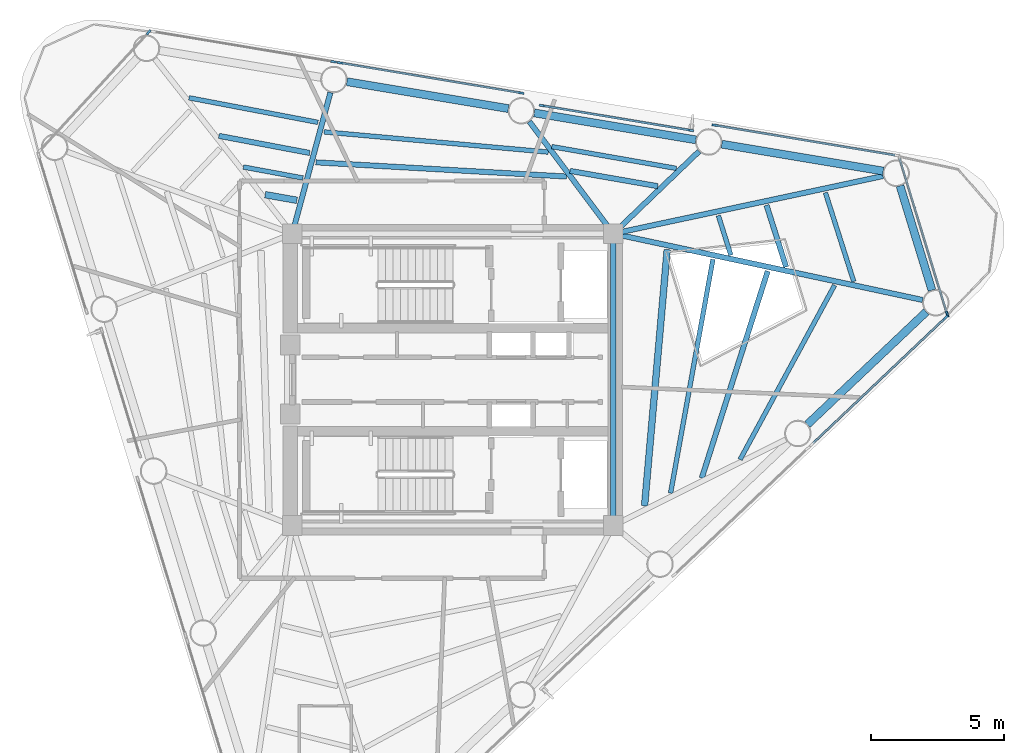
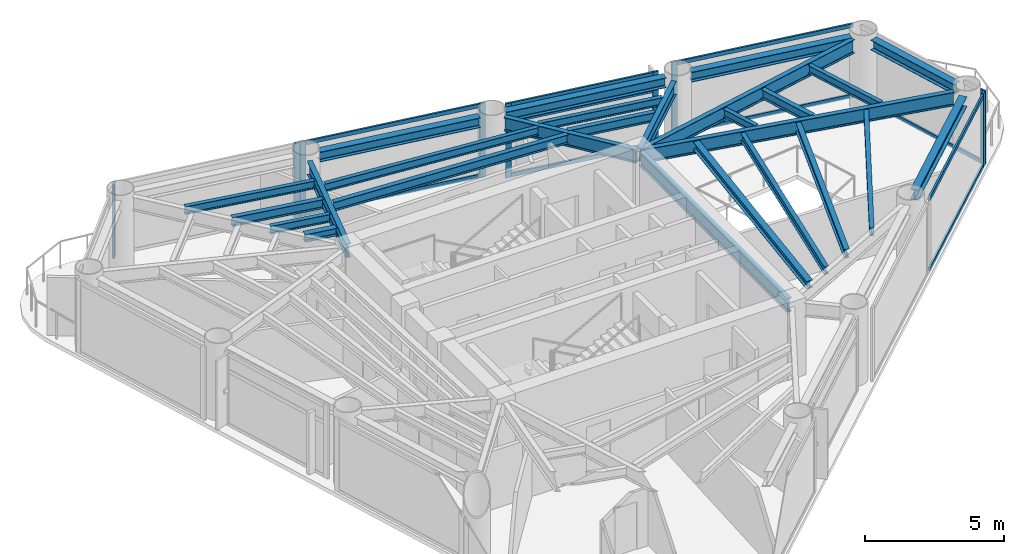
# One storey, part 3 of 9: 26 beams, 19 members, 7 elements without a shape of their own.
"""IFC4 building model written with IfcOpenShell, lengths in metres."""

from ifc_helpers import new_model, si_unit, direction, frame, origin, origin_2d, place, context, subcontext, project, spatial, rectangle, i_section, extrude, source, transform, mapped, material, layer, layer_set, material_profile, profile_set, type_object, element, aggregate, save


model = new_model("IFC4")

# Units and contexts
model_context = context("Model", 3, precision=1e-05, world=origin(), true_north=direction((0.0, 1.0)))
body_context = subcontext(model_context, "Body", "Model", "MODEL_VIEW")
ifc_project = project(units=[si_unit("LENGTHUNIT", "METRE"), si_unit("AREAUNIT", "SQUARE_METRE"), si_unit("VOLUMEUNIT", "CUBIC_METRE"), si_unit("PLANEANGLEUNIT", "RADIAN"), si_unit("MASSUNIT", "GRAM", prefix="KILO")], contexts=[model_context])

# Site, building, storey
site_placement = place(None, origin())
site = spatial("IfcSite", under=ifc_project, at=site_placement, CompositionType="ELEMENT")
building_placement = place(site_placement, origin())
building = spatial("IfcBuilding", under=site, at=building_placement, Name="Yunling Apex Tower", CompositionType="ELEMENT")
storey_placement = place(building_placement, frame((0.0, 0.0, 249.050048828125)))
storey = spatial("IfcBuildingStorey", under=building, at=storey_placement, Name="L61", CompositionType="ELEMENT", Elevation=249.050048828125)

# Beams
ifc_material_1 = material(Name="Steel Q355B", Category="steel")
ifc_material_profile_1 = material_profile(ifc_material_1, i_section(OverallWidth=0.199951171875, OverallDepth=0.60009765625, WebThickness=0.010986328125, FlangeThickness=0.01708984375, FilletRadius=0.02197265625, at=origin_2d()))
ifc_profile_set_1 = profile_set([ifc_material_profile_1], Name="Steel Q355B")
beam_type_1 = type_object("IfcBeamType", Name="BG-PRI-5", PredefinedType="USERDEFINED", material=ifc_profile_set_1)
shared_shape_1 = source(origin(), body_context, "Body", "SweptSolid", [
    extrude(i_section(OverallWidth=0.199951171875, OverallDepth=0.60009765625, WebThickness=0.010986328125, FlangeThickness=0.01708984375, FilletRadius=0.02197265625, at=origin_2d()), origin(), (0.0, 0.0, 1.0), 10.7001953125),
])
beam_1_placement = place(storey_placement, frame((6.050048828125, -5.35009765625, 2.8798828125), z_axis=(0.0, 1.0, 0.0), x_axis=(-1.0, 0.0, 0.0)))
element("IfcBeam", 1, at=beam_1_placement, inside=storey, type_object=beam_type_1, Name="L61 Core Ring Tie Beam 2", ObjectType="GIRDER", PredefinedType="USERDEFINED", context=body_context, shape_type="MappedRepresentation", body=[
    mapped(shared_shape_1, transform((0.0, 0.0, 0.0), scale=1.0)),
])
ifc_material_profile_2 = material_profile(ifc_material_1, i_section(OverallWidth=0.175048828125, OverallDepth=0.35009765625, WebThickness=0.007080078125, FlangeThickness=0.010986328125, FilletRadius=0.013916015625, at=origin_2d()))
ifc_profile_set_2 = profile_set([ifc_material_profile_2], Name="Steel Q355B")
beam_type_2 = type_object("IfcBeamType", Name="BJ-JST-1", PredefinedType="JOIST", material=ifc_profile_set_2)
shared_shape_2 = source(origin(), body_context, "Body", "SweptSolid", [
    extrude(i_section(OverallWidth=0.175048828125, OverallDepth=0.35009765625, WebThickness=0.007080078125, FlangeThickness=0.010986328125, FilletRadius=0.013916015625, at=origin_2d()), origin(), (0.0, 0.0, 1.0), 4.765869140625),
])
beam_2_placement = place(storey_placement, frame((8.42578125, 7.96142578125, 3.0048828125), z_axis=(-0.985022420296, 0.17242630749, 0.0), x_axis=(-0.17242630749, -0.985022420296, 0.0)))
element("IfcBeam", 2, at=beam_2_placement, inside=storey, type_object=beam_type_2, Name="L61 Composite Floor Joist BJ1-7", PredefinedType="JOIST", context=body_context, shape_type="MappedRepresentation", body=[
    mapped(shared_shape_2, transform((0.0, 0.0, 0.0), scale=1.0)),
])
ifc_material_profile_3 = material_profile(ifc_material_1, i_section(OverallWidth=0.300048828125, OverallDepth=0.43994140625, WebThickness=0.010986328125, FlangeThickness=0.01806640625, FilletRadius=0.02197265625, at=origin_2d()))
ifc_profile_set_3 = profile_set([ifc_material_profile_3], Name="Steel Q355B")
beam_type_3 = type_object("IfcBeamType", Name="BP-SPN-3", PredefinedType="SPANDREL", material=ifc_profile_set_3)
shared_shape_3 = source(origin(), body_context, "Body", "SweptSolid", [
    extrude(i_section(OverallWidth=0.300048828125, OverallDepth=0.43994140625, WebThickness=0.010986328125, FlangeThickness=0.01806640625, FilletRadius=0.02197265625, at=origin_2d()), origin(), (0.0, 0.0, 1.0), 6.17333984375),
])
for number, where, z_axis, x_axis, name in (
    (3, (13.36572265625, -1.690185546875, 2.9599609375), (0.725853952128, 0.687848849807, 0.0), (-0.687848849807, 0.725853952128, 0.0), "L61 Perimeter Spandrel Beam 4"),
    (4, (16.224853515625, 7.860595703125, 2.9599609375), (-0.986400336233, 0.164360508275, 0.0), (-0.164360508275, -0.986400336233, 0.0), "L61 Perimeter Spandrel Beam 6"),
    (5, (9.160888671875, 9.03759765625, 2.9599609375), (-0.986400336233, 0.164360508275, 0.0), (-0.164360508275, -0.986400336233, 0.0), "L61 Perimeter Spandrel Beam 7"),
    (6, (2.096923828125, 10.214599609375, 2.9599609375), (-0.986393923832, 0.164398987305, 0.0), (-0.164398987305, -0.986393923832, 0.0), "L61 Perimeter Spandrel Beam 8"),
):
    element("IfcBeam", number, at=place(storey_placement, frame(where, z_axis=z_axis, x_axis=x_axis)), inside=storey, type_object=beam_type_3, Name=name, PredefinedType="SPANDREL", context=body_context, shape_type="MappedRepresentation", body=[
        mapped(shared_shape_3, transform((0.0, 0.0, 0.0), scale=1.0)),
    ])
shared_shape_4 = source(origin(), body_context, "Body", "SweptSolid", [
    extrude(i_section(OverallWidth=0.300048828125, OverallDepth=0.43994140625, WebThickness=0.010986328125, FlangeThickness=0.01806640625, FilletRadius=0.02197265625, at=origin_2d()), origin(), (0.0, 0.0, 1.0), 4.118408203125),
])
beam_3_placement = place(storey_placement, frame((18.060791015625, 3.368408203125, 2.9599609375), z_axis=(-0.292369137572, 0.956305540816, 0.0), x_axis=(-0.956305540816, -0.292369137572, 0.0)))
element("IfcBeam", 7, at=beam_3_placement, inside=storey, type_object=beam_type_3, Name="L61 Perimeter Spandrel Beam 5", PredefinedType="SPANDREL", context=body_context, shape_type="MappedRepresentation", body=[
    mapped(shared_shape_4, transform((0.0, 0.0, 0.0), scale=1.0)),
])
shared_shape_5 = source(origin(), body_context, "Body", "SweptSolid", [
    extrude(i_section(OverallWidth=0.199951171875, OverallDepth=0.60009765625, WebThickness=0.010986328125, FlangeThickness=0.01708984375, FilletRadius=0.02197265625, at=origin_2d()), origin(), (0.0, 0.0, 1.0), 10.315185546875),
])
beam_4_placement = place(storey_placement, frame((16.21533203125, 7.673095703125, 2.8798828125), z_axis=(-0.977902402009, -0.209061933755, 0.0), x_axis=(0.209061933755, -0.977902402009, 0.0)))
element("IfcBeam", 8, at=beam_4_placement, inside=storey, type_object=beam_type_1, Name="L61 Radial Primary Girder R06", ObjectType="GIRDER", PredefinedType="USERDEFINED", context=body_context, shape_type="MappedRepresentation", body=[
    mapped(shared_shape_5, transform((0.0, 0.0, 0.0), scale=1.0)),
])
shared_shape_6 = source(origin(), body_context, "Body", "SweptSolid", [
    extrude(i_section(OverallWidth=0.199951171875, OverallDepth=0.60009765625, WebThickness=0.010986328125, FlangeThickness=0.01708984375, FilletRadius=0.02197265625, at=origin_2d()), origin(), (0.0, 0.0, 1.0), 4.4013671875),
])
beam_5_placement = place(storey_placement, frame((9.28173828125, 8.6044921875, 2.8798828125), z_axis=(-0.721164480273, -0.69276387925, 0.0), x_axis=(0.69276387925, -0.721164480273, 0.0)))
element("IfcBeam", 9, at=beam_5_placement, inside=storey, type_object=beam_type_1, Name="L61 Radial Primary Girder R07", ObjectType="GIRDER", PredefinedType="USERDEFINED", context=body_context, shape_type="MappedRepresentation", body=[
    mapped(shared_shape_6, transform((0.0, 0.0, 0.0), scale=1.0)),
])
shared_shape_7 = source(origin(), body_context, "Body", "SweptSolid", [
    extrude(i_section(OverallWidth=0.199951171875, OverallDepth=0.60009765625, WebThickness=0.010986328125, FlangeThickness=0.01708984375, FilletRadius=0.02197265625, at=origin_2d()), origin(), (0.0, 0.0, 1.0), 5.1982421875),
])
beam_6_placement = place(storey_placement, frame((2.888427734375, 9.726806640625, 2.8798828125), z_axis=(0.598992593476, -0.800754564746, 0.0), x_axis=(0.800754564746, 0.598992593476, 0.0)))
element("IfcBeam", 10, at=beam_6_placement, inside=storey, type_object=beam_type_1, Name="L61 Radial Primary Girder R08", ObjectType="GIRDER", PredefinedType="USERDEFINED", context=body_context, shape_type="MappedRepresentation", body=[
    mapped(shared_shape_7, transform((0.0, 0.0, 0.0), scale=1.0)),
])
shared_shape_8 = source(origin(), body_context, "Body", "SweptSolid", [
    extrude(i_section(OverallWidth=0.199951171875, OverallDepth=0.60009765625, WebThickness=0.010986328125, FlangeThickness=0.01708984375, FilletRadius=0.02197265625, at=origin_2d()), origin(), (0.0, 0.0, 1.0), 5.43115234375),
])
beam_7_placement = place(storey_placement, frame((-4.6123046875, 10.8203125, 2.8798828125), z_axis=(-0.26085354679, -0.965378385467, 0.0), x_axis=(0.965378385467, -0.26085354679, 0.0)))
element("IfcBeam", 11, at=beam_7_placement, inside=storey, type_object=beam_type_1, Name="L61 Radial Primary Girder R09", ObjectType="GIRDER", PredefinedType="USERDEFINED", context=body_context, shape_type="MappedRepresentation", body=[
    mapped(shared_shape_8, transform((0.0, 0.0, 0.0), scale=1.0)),
])
ifc_material_profile_4 = material_profile(ifc_material_1, i_section(OverallWidth=0.199951171875, OverallDepth=0.39990234375, WebThickness=0.008056640625, FlangeThickness=0.012939453125, FilletRadius=0.01611328125, at=origin_2d()))
ifc_profile_set_4 = profile_set([ifc_material_profile_4], Name="Steel Q355B")
beam_type_4 = type_object("IfcBeamType", Name="BS-SEC-4", PredefinedType="BEAM", material=ifc_profile_set_4)
shared_shape_9 = source(origin(), body_context, "Body", "SweptSolid", [
    extrude(i_section(OverallWidth=0.199951171875, OverallDepth=0.39990234375, WebThickness=0.008056640625, FlangeThickness=0.012939453125, FilletRadius=0.01611328125, at=origin_2d()), origin(), (0.0, 0.0, 1.0), 3.361572265625),
])
beam_8_placement = place(storey_placement, frame((7.7275390625, 7.290283203125, 2.97998046875), z_axis=(-0.985137567958, 0.171767203496, 0.0), x_axis=(-0.171767203496, -0.985137567958, 0.0)))
element("IfcBeam", 12, at=beam_8_placement, inside=storey, type_object=beam_type_4, Name="L61 Composite Floor Beam BS-7", PredefinedType="BEAM", context=body_context, shape_type="MappedRepresentation", body=[
    mapped(shared_shape_9, transform((0.0, 0.0, 0.0), scale=1.0)),
])
shared_shape_10 = source(origin(), body_context, "Body", "SweptSolid", [
    extrude(i_section(OverallWidth=0.199951171875, OverallDepth=0.39990234375, WebThickness=0.008056640625, FlangeThickness=0.012939453125, FilletRadius=0.01611328125, at=origin_2d()), origin(), (0.0, 0.0, 1.0), 9.461669921875),
])
beam_9_placement = place(storey_placement, frame((4.28564453125, 7.654541015625, 2.97998046875), z_axis=(-0.998399180074, 0.05656038567, 0.0), x_axis=(-0.05656038567, -0.998399180074, 0.0)))
element("IfcBeam", 13, at=beam_9_placement, inside=storey, type_object=beam_type_4, Name="L61 Composite Floor Beam BS-8", PredefinedType="BEAM", context=body_context, shape_type="MappedRepresentation", body=[
    mapped(shared_shape_10, transform((0.0, 0.0, 0.0), scale=1.0)),
])
shared_shape_11 = source(origin(), body_context, "Body", "SweptSolid", [
    extrude(i_section(OverallWidth=0.175048828125, OverallDepth=0.35009765625, WebThickness=0.007080078125, FlangeThickness=0.010986328125, FilletRadius=0.013916015625, at=origin_2d()), origin(), (0.0, 0.0, 1.0), 8.485107421875),
])
beam_10_placement = place(storey_placement, frame((3.60107421875, 8.575439453125, 3.0048828125), z_axis=(-0.995954531999, 0.089858612221, 0.0), x_axis=(-0.089858612221, -0.995954531999, 0.0)))
element("IfcBeam", 14, at=beam_10_placement, inside=storey, type_object=beam_type_2, Name="L61 Composite Floor Joist BJ1-8", PredefinedType="JOIST", context=body_context, shape_type="MappedRepresentation", body=[
    mapped(shared_shape_11, transform((0.0, 0.0, 0.0), scale=1.0)),
])
shared_shape_12 = source(origin(), body_context, "Body", "SweptSolid", [
    extrude(i_section(OverallWidth=0.199951171875, OverallDepth=0.39990234375, WebThickness=0.008056640625, FlangeThickness=0.012939453125, FilletRadius=0.01611328125, at=origin_2d()), origin(), (0.0, 0.0, 1.0), 3.482421875),
])
beam_11_placement = place(storey_placement, frame((-5.392822265625, 8.54296875, 2.97998046875), z_axis=(-0.98272425545, 0.185075762191, 0.0), x_axis=(-0.185075762191, -0.98272425545, 0.0)))
element("IfcBeam", 15, at=beam_11_placement, inside=storey, type_object=beam_type_4, Name="L61 Composite Floor Beam BS-9", PredefinedType="BEAM", context=body_context, shape_type="MappedRepresentation", body=[
    mapped(shared_shape_12, transform((0.0, 0.0, 0.0), scale=1.0)),
])
shared_shape_13 = source(origin(), body_context, "Body", "SweptSolid", [
    extrude(i_section(OverallWidth=0.175048828125, OverallDepth=0.35009765625, WebThickness=0.007080078125, FlangeThickness=0.010986328125, FilletRadius=0.013916015625, at=origin_2d()), origin(), (0.0, 0.0, 1.0), 4.949951171875),
])
beam_12_placement = place(storey_placement, frame((-5.081298828125, 9.69677734375, 3.0048828125), z_axis=(-0.982345041362, 0.187078111256, 0.0), x_axis=(-0.187078111256, -0.982345041362, 0.0)))
element("IfcBeam", 16, at=beam_12_placement, inside=storey, type_object=beam_type_2, Name="L61 Composite Floor Joist BJ1-9", PredefinedType="JOIST", context=body_context, shape_type="MappedRepresentation", body=[
    mapped(shared_shape_13, transform((0.0, 0.0, 0.0), scale=1.0)),
])
shared_shape_14 = source(origin(), body_context, "Body", "SweptSolid", [
    extrude(i_section(OverallWidth=0.175048828125, OverallDepth=0.35009765625, WebThickness=0.007080078125, FlangeThickness=0.010986328125, FilletRadius=0.013916015625, at=origin_2d()), origin(), (0.0, 0.0, 1.0), 2.28173828125),
])
beam_13_placement = place(storey_placement, frame((-5.64794921875, 7.5986328125, 3.0048828125), z_axis=(-0.983336596367, 0.181794219503, 0.0), x_axis=(-0.181794219503, -0.983336596367, 0.0)))
element("IfcBeam", 17, at=beam_13_placement, inside=storey, type_object=beam_type_2, Name="L61 Composite Floor Joist BJ3-9", PredefinedType="JOIST", context=body_context, shape_type="MappedRepresentation", body=[
    mapped(shared_shape_14, transform((0.0, 0.0, 0.0), scale=1.0)),
])
ifc_material_profile_5 = material_profile(ifc_material_1, i_section(OverallWidth=0.25, OverallDepth=0.340087890625, WebThickness=0.009033203125, FlangeThickness=0.013916015625, FilletRadius=0.01806640625, at=origin_2d()))
ifc_profile_set_5 = profile_set([ifc_material_profile_5], Name="Steel Q355B")
beam_type_5 = type_object("IfcBeamType", Name="BJ-JST-2", PredefinedType="JOIST", material=ifc_profile_set_5)
shared_shape_15 = source(origin(), body_context, "Body", "SweptSolid", [
    extrude(i_section(OverallWidth=0.25, OverallDepth=0.340087890625, WebThickness=0.009033203125, FlangeThickness=0.013916015625, FilletRadius=0.01806640625, at=origin_2d()), origin(), (0.0, 0.0, 1.0), 1.214111328125),
])
beam_14_placement = place(storey_placement, frame((-5.875, 6.758544921875, 3.010009765625), z_axis=(-0.98465170233, 0.174530871477, 0.0), x_axis=(-0.174530871477, -0.98465170233, 0.0)))
element("IfcBeam", 18, at=beam_14_placement, inside=storey, type_object=beam_type_5, Name="L61 Composite Floor Joist BJ2-9", PredefinedType="JOIST", context=body_context, shape_type="MappedRepresentation", body=[
    mapped(shared_shape_15, transform((0.0, 0.0, 0.0), scale=1.0)),
])
shared_shape_16 = source(origin(), body_context, "Body", "SweptSolid", [
    extrude(i_section(OverallWidth=0.199951171875, OverallDepth=0.60009765625, WebThickness=0.010986328125, FlangeThickness=0.01708984375, FilletRadius=0.02197265625, at=origin_2d()), origin(), (0.0, 0.0, 1.0), 11.843017578125),
])
beam_15_placement = place(storey_placement, frame((17.70849609375, 3.002197265625, 2.8798828125), z_axis=(-0.977811765087, 0.20948544593, 0.0), x_axis=(-0.20948544593, -0.977811765087, 0.0)))
element("IfcBeam", 19, at=beam_15_placement, inside=storey, type_object=beam_type_1, Name="L61 Radial Primary Girder R05", ObjectType="GIRDER", PredefinedType="USERDEFINED", context=body_context, shape_type="MappedRepresentation", body=[
    mapped(shared_shape_16, transform((0.0, 0.0, 0.0), scale=1.0)),
])
shared_shape_17 = source(origin(), body_context, "Body", "SweptSolid", [
    extrude(i_section(OverallWidth=0.199951171875, OverallDepth=0.39990234375, WebThickness=0.008056640625, FlangeThickness=0.012939453125, FilletRadius=0.01611328125, at=origin_2d()), origin(), (0.0, 0.0, 1.0), 8.1845703125),
])
beam_16_placement = place(storey_placement, frame((9.385498046875, -3.7080078125, 2.97998046875), z_axis=(0.303545922485, 0.95281680975, 0.0), x_axis=(-0.95281680975, 0.303545922485, 0.0)))
element("IfcBeam", 20, at=beam_16_placement, inside=storey, type_object=beam_type_4, Name="L61 Composite Floor Beam BS-4", PredefinedType="BEAM", context=body_context, shape_type="MappedRepresentation", body=[
    mapped(shared_shape_17, transform((0.0, 0.0, 0.0), scale=1.0)),
])
shared_shape_18 = source(origin(), body_context, "Body", "SweptSolid", [
    extrude(i_section(OverallWidth=0.175048828125, OverallDepth=0.35009765625, WebThickness=0.007080078125, FlangeThickness=0.010986328125, FilletRadius=0.013916015625, at=origin_2d()), origin(), (0.0, 0.0, 1.0), 7.473876953125),
])
beam_17_placement = place(storey_placement, frame((10.828125, -3.01416015625, 3.0048828125), z_axis=(0.476564095566, 0.879139728835, 0.0), x_axis=(-0.879139728835, 0.476564095566, 0.0)))
element("IfcBeam", 21, at=beam_17_placement, inside=storey, type_object=beam_type_2, Name="L61 Composite Floor Joist BJ1-4", PredefinedType="JOIST", context=body_context, shape_type="MappedRepresentation", body=[
    mapped(shared_shape_18, transform((0.0, 0.0, 0.0), scale=1.0)),
])
shared_shape_19 = source(origin(), body_context, "Body", "SweptSolid", [
    extrude(i_section(OverallWidth=0.175048828125, OverallDepth=0.35009765625, WebThickness=0.007080078125, FlangeThickness=0.010986328125, FilletRadius=0.013916015625, at=origin_2d()), origin(), (0.0, 0.0, 1.0), 8.9560546875),
])
beam_18_placement = place(storey_placement, frame((8.2080078125, -4.280517578125, 3.0048828125), z_axis=(0.17836006421, 0.983965287749, 0.0), x_axis=(-0.983965287749, 0.17836006421, 0.0)))
element("IfcBeam", 22, at=beam_18_placement, inside=storey, type_object=beam_type_2, Name="L61 Composite Floor Joist BJ3-4", PredefinedType="JOIST", context=body_context, shape_type="MappedRepresentation", body=[
    mapped(shared_shape_19, transform((0.0, 0.0, 0.0), scale=1.0)),
])
shared_shape_20 = source(origin(), body_context, "Body", "SweptSolid", [
    extrude(i_section(OverallWidth=0.25, OverallDepth=0.340087890625, WebThickness=0.009033203125, FlangeThickness=0.013916015625, FilletRadius=0.01806640625, at=origin_2d()), origin(), (0.0, 0.0, 1.0), 9.69921875),
])
beam_19_placement = place(storey_placement, frame((7.22900390625, -4.759521484375, 3.010009765625), z_axis=(0.088023100077, 0.996118433648, 0.0), x_axis=(-0.996118433648, 0.088023100077, 0.0)))
element("IfcBeam", 23, at=beam_19_placement, inside=storey, type_object=beam_type_5, Name="L61 Composite Floor Joist BJ2-4", PredefinedType="JOIST", context=body_context, shape_type="MappedRepresentation", body=[
    mapped(shared_shape_20, transform((0.0, 0.0, 0.0), scale=1.0)),
])
shared_shape_21 = source(origin(), body_context, "Body", "SweptSolid", [
    extrude(i_section(OverallWidth=0.199951171875, OverallDepth=0.39990234375, WebThickness=0.008056640625, FlangeThickness=0.012939453125, FilletRadius=0.01611328125, at=origin_2d()), origin(), (0.0, 0.0, 1.0), 2.4404296875),
])
beam_20_placement = place(storey_placement, frame((12.564697265625, 4.246337890625, 2.97998046875), z_axis=(-0.302931106661, 0.953012457745, 0.0), x_axis=(-0.953012457745, -0.302931106661, 0.0)))
element("IfcBeam", 24, at=beam_20_placement, inside=storey, type_object=beam_type_4, Name="L61 Composite Floor Beam BS-5", PredefinedType="BEAM", context=body_context, shape_type="MappedRepresentation", body=[
    mapped(shared_shape_21, transform((0.0, 0.0, 0.0), scale=1.0)),
])
shared_shape_22 = source(origin(), body_context, "Body", "SweptSolid", [
    extrude(i_section(OverallWidth=0.175048828125, OverallDepth=0.35009765625, WebThickness=0.007080078125, FlangeThickness=0.010986328125, FilletRadius=0.013916015625, at=origin_2d()), origin(), (0.0, 0.0, 1.0), 3.511962890625),
])
beam_21_placement = place(storey_placement, frame((15.1123046875, 3.700439453125, 3.0048828125), z_axis=(-0.303918020871, 0.952698187565, 0.0), x_axis=(-0.952698187565, -0.303918020871, 0.0)))
element("IfcBeam", 25, at=beam_21_placement, inside=storey, type_object=beam_type_2, Name="L61 Composite Floor Joist BJ1-5", PredefinedType="JOIST", context=body_context, shape_type="MappedRepresentation", body=[
    mapped(shared_shape_22, transform((0.0, 0.0, 0.0), scale=1.0)),
])
shared_shape_23 = source(origin(), body_context, "Body", "SweptSolid", [
    extrude(i_section(OverallWidth=0.175048828125, OverallDepth=0.35009765625, WebThickness=0.007080078125, FlangeThickness=0.010986328125, FilletRadius=0.013916015625, at=origin_2d()), origin(), (0.0, 0.0, 1.0), 1.563232421875),
])
beam_22_placement = place(storey_placement, frame((10.48046875, 4.693115234375, 3.0048828125), z_axis=(-0.301288339578, 0.953533080934, 0.0), x_axis=(-0.953533080934, -0.301288339578, 0.0)))
element("IfcBeam", 26, at=beam_22_placement, inside=storey, type_object=beam_type_2, Name="L61 Composite Floor Joist BJ3-5", PredefinedType="JOIST", context=body_context, shape_type="MappedRepresentation", body=[
    mapped(shared_shape_23, transform((0.0, 0.0, 0.0), scale=1.0)),
])

# Curtain wall, members
ifc_material_2 = material(Name="Bronze anodised aluminium", Category="aluminium")
ifc_layer = layer(ifc_material_2, 0.219970703125)
ifc_layer_set = layer_set([ifc_layer], Name="Bronze anodised aluminium")
curtain_wall_type = type_object("IfcCurtainWallType", Name="CW-SYS-4", PredefinedType="NOTDEFINED", material=ifc_layer_set)
curtain_wall_1_placement = place(storey_placement, origin())
curtain_wall_1 = element("IfcCurtainWall", 27, at=curtain_wall_1_placement, inside=storey, type_object=curtain_wall_type, Name="CW-L61-F1-B4", PredefinedType="NOTDEFINED")
ifc_material_profile_6 = material_profile(ifc_material_2, rectangle(XDim=0.080078125, YDim=0.169921875, at=origin_2d()))
ifc_profile_set_6 = profile_set([ifc_material_profile_6], Name="Bronze anodised aluminium")
member_type_1 = type_object("IfcMemberType", Name="CW-TRN-4", PredefinedType="USERDEFINED", material=ifc_profile_set_6)
shared_shape_24 = source(origin(), body_context, "Body", "SweptSolid", [
    extrude(rectangle(XDim=0.080078125, YDim=0.169921875, at=origin_2d()), origin(), (0.0, 0.0, 1.0), 6.849365234375),
])
member_1_placement = place(storey_placement, frame((13.574462890625, -2.40185546875, 0.0400390625), z_axis=(0.725849647065, 0.687853392705, 0.0), x_axis=(-0.687853392705, 0.725849647065, 0.0)))
member_1 = element("IfcMember", 28, at=member_1_placement, type_object=member_type_1, Name="CW-SYS-4 transom 1.1", ObjectType="TRANSOM", PredefinedType="USERDEFINED", context=body_context, shape_type="MappedRepresentation", body=[
    mapped(shared_shape_24, transform((0.0, 0.0, 0.0), scale=1.0)),
])
member_2_placement = place(storey_placement, frame((13.574462890625, -2.40185546875, 3.139892578125), z_axis=(0.725849647065, 0.687853392705, 0.0), x_axis=(-0.687853392705, 0.725849647065, 0.0)))
member_2 = element("IfcMember", 29, at=member_2_placement, type_object=member_type_1, Name="CW-SYS-4 transom 1.2", ObjectType="TRANSOM", PredefinedType="USERDEFINED", context=body_context, shape_type="MappedRepresentation", body=[
    mapped(shared_shape_24, transform((0.0, 0.0, 0.0), scale=1.0)),
])

curtain_wall_2_placement = place(storey_placement, origin())
curtain_wall_2 = element("IfcCurtainWall", 30, at=curtain_wall_2_placement, inside=storey, type_object=curtain_wall_type, Name="CW-L61-F2-B1", PredefinedType="NOTDEFINED")
member_3_placement = place(storey_placement, frame((16.666748046875, 8.456298828125, 0.0400390625), z_axis=(-0.986400666628, 0.164358525415, 0.0), x_axis=(-0.164358525415, -0.986400666628, 0.0)))
member_3 = element("IfcMember", 31, at=member_3_placement, type_object=member_type_1, Name="CW-SYS-4 transom 1.1", ObjectType="TRANSOM", PredefinedType="USERDEFINED", context=body_context, shape_type="MappedRepresentation", body=[
    mapped(shared_shape_24, transform((0.0, 0.0, 0.0), scale=1.0)),
])
member_4_placement = place(storey_placement, frame((16.666748046875, 8.456298828125, 3.139892578125), z_axis=(-0.986400666628, 0.164358525415, 0.0), x_axis=(-0.164358525415, -0.986400666628, 0.0)))
member_4 = element("IfcMember", 32, at=member_4_placement, type_object=member_type_1, Name="CW-SYS-4 transom 1.2", ObjectType="TRANSOM", PredefinedType="USERDEFINED", context=body_context, shape_type="MappedRepresentation", body=[
    mapped(shared_shape_24, transform((0.0, 0.0, 0.0), scale=1.0)),
])

# Curtain wall, member
curtain_wall_3_placement = place(storey_placement, origin())
curtain_wall_3 = element("IfcCurtainWall", 33, at=curtain_wall_3_placement, inside=storey, type_object=curtain_wall_type, Name="CW-L61-CRN1", PredefinedType="NOTDEFINED")
shared_shape_25 = source(origin(), body_context, "Body", "SweptSolid", [
    extrude(rectangle(XDim=0.080078125, YDim=0.169921875, at=origin_2d()), origin(), (0.0, 0.0, 1.0), 6.100830078125),
])
member_5_placement = place(storey_placement, frame((18.623291015625, 2.50390625, 0.0400390625), z_axis=(-0.292370017789, 0.956305271709, 0.0), x_axis=(-0.956305271709, -0.292370017789, 0.0)))
member_5 = element("IfcMember", 34, at=member_5_placement, type_object=member_type_1, Name="CW-SYS-4 transom 1.1", ObjectType="TRANSOM", PredefinedType="USERDEFINED", context=body_context, shape_type="MappedRepresentation", body=[
    mapped(shared_shape_25, transform((0.0, 0.0, 0.0), scale=1.0)),
])

# Curtain wall, members
curtain_wall_4_placement = place(storey_placement, origin())
curtain_wall_4 = element("IfcCurtainWall", 35, at=curtain_wall_4_placement, inside=storey, type_object=curtain_wall_type, Name="CW-L61-F2-B2", PredefinedType="NOTDEFINED")
shared_shape_26 = source(origin(), body_context, "Body", "SweptSolid", [
    extrude(rectangle(XDim=0.080078125, YDim=0.169921875, at=origin_2d()), origin(), (0.0, 0.0, 1.0), 5.609375),
])
member_6_placement = place(storey_placement, frame((8.935302734375, 9.399658203125, 0.0400390625), z_axis=(-0.986395100144, 0.164391929279, 0.0), x_axis=(-0.164391929279, -0.986395100144, 0.0)))
member_6 = element("IfcMember", 36, at=member_6_placement, type_object=member_type_1, Name="CW-SYS-4 transom 1.1", ObjectType="TRANSOM", PredefinedType="USERDEFINED", context=body_context, shape_type="MappedRepresentation", body=[
    mapped(shared_shape_26, transform((0.0, 0.0, 0.0), scale=1.0)),
])
member_7_placement = place(storey_placement, frame((8.935302734375, 9.399658203125, 2.416748046875), z_axis=(-0.986395100144, 0.164391929279, 0.0), x_axis=(-0.164391929279, -0.986395100144, 0.0)))
member_7 = element("IfcMember", 37, at=member_7_placement, type_object=member_type_1, Name="CW-SYS-4 transom 1.2", ObjectType="TRANSOM", PredefinedType="USERDEFINED", context=body_context, shape_type="MappedRepresentation", body=[
    mapped(shared_shape_26, transform((0.0, 0.0, 0.0), scale=1.0)),
])
member_8_placement = place(storey_placement, frame((8.935302734375, 9.399658203125, 3.139892578125), z_axis=(-0.986395100144, 0.164391929279, 0.0), x_axis=(-0.164391929279, -0.986395100144, 0.0)))
member_8 = element("IfcMember", 38, at=member_8_placement, type_object=member_type_1, Name="CW-SYS-4 transom 1.3", ObjectType="TRANSOM", PredefinedType="USERDEFINED", context=body_context, shape_type="MappedRepresentation", body=[
    mapped(shared_shape_26, transform((0.0, 0.0, 0.0), scale=1.0)),
])

curtain_wall_5_placement = place(storey_placement, origin())
curtain_wall_5 = element("IfcCurtainWall", 39, at=curtain_wall_5_placement, inside=storey, type_object=curtain_wall_type, Name="CW-L61-F2-B3", PredefinedType="NOTDEFINED")
shared_shape_27 = source(origin(), body_context, "Body", "SweptSolid", [
    extrude(rectangle(XDim=0.080078125, YDim=0.169921875, at=origin_2d()), origin(), (0.0, 0.0, 1.0), 6.849609375),
])
member_9_placement = place(storey_placement, frame((2.538818359375, 10.810302734375, 0.0400390625), z_axis=(-0.986401629478, 0.164352746749, 0.0), x_axis=(-0.164352746749, -0.986401629478, 0.0)))
member_9 = element("IfcMember", 40, at=member_9_placement, type_object=member_type_1, Name="CW-SYS-4 transom 1.1", ObjectType="TRANSOM", PredefinedType="USERDEFINED", context=body_context, shape_type="MappedRepresentation", body=[
    mapped(shared_shape_27, transform((0.0, 0.0, 0.0), scale=1.0)),
])
member_10_placement = place(storey_placement, frame((2.538818359375, 10.810302734375, 3.139892578125), z_axis=(-0.986401629478, 0.164352746749, 0.0), x_axis=(-0.164352746749, -0.986401629478, 0.0)))
member_10 = element("IfcMember", 41, at=member_10_placement, type_object=member_type_1, Name="CW-SYS-4 transom 1.2", ObjectType="TRANSOM", PredefinedType="USERDEFINED", context=body_context, shape_type="MappedRepresentation", body=[
    mapped(shared_shape_27, transform((0.0, 0.0, 0.0), scale=1.0)),
])

# Member
ifc_material_profile_7 = material_profile(ifc_material_2, rectangle(XDim=0.080078125, YDim=0.219970703125, at=origin_2d()))
ifc_profile_set_7 = profile_set([ifc_material_profile_7], Name="Bronze anodised aluminium")
member_type_2 = type_object("IfcMemberType", Name="CW-MUL-4", PredefinedType="MULLION", material=ifc_profile_set_7)
shared_shape_28 = source(origin(), body_context, "Body", "SweptSolid", [
    extrude(rectangle(XDim=0.080078125, YDim=0.219970703125, at=origin_2d()), origin(), (0.0, 0.0, 1.0), 3.280029296875),
])
member_11_placement = place(storey_placement, frame((18.572265625, 2.334228515625, -0.050048828125), z_axis=(0.0, 0.0, 1.0), x_axis=(-0.687848040467, 0.72585471909, 0.0)))
member_11 = element("IfcMember", 42, at=member_11_placement, type_object=member_type_2, Name="CW-SYS-4 mullion 2", PredefinedType="MULLION", context=body_context, shape_type="MappedRepresentation", body=[
    mapped(shared_shape_28, transform((0.0, 0.0, 0.0), scale=1.0)),
])

aggregate(curtain_wall_1, [member_11, member_1, member_2])

member_12_placement = place(storey_placement, frame((18.6337890625, 2.469482421875, -0.050048828125), z_axis=(0.0, 0.0, 1.0), x_axis=(-0.956305498685, -0.292369275379, 0.0)))
member_12 = element("IfcMember", 43, at=member_12_placement, type_object=member_type_2, Name="CW-SYS-4 mullion 1", PredefinedType="MULLION", context=body_context, shape_type="MappedRepresentation", body=[
    mapped(shared_shape_28, transform((0.0, 0.0, 0.0), scale=1.0)),
])

aggregate(curtain_wall_3, [member_12, member_5])

member_13_placement = place(storey_placement, frame((9.875, 9.587890625, -0.050048828125), z_axis=(0.0, 0.0, 1.0), x_axis=(-0.164352664392, -0.9864016432, 0.0)))
member_13 = element("IfcMember", 44, at=member_13_placement, type_object=member_type_2, Name="CW-SYS-4 mullion 2", PredefinedType="MULLION", context=body_context, shape_type="MappedRepresentation", body=[
    mapped(shared_shape_28, transform((0.0, 0.0, 0.0), scale=1.0)),
])

aggregate(curtain_wall_2, [member_13, member_3, member_4])

member_14_placement = place(storey_placement, frame((8.970947265625, 9.393798828125, -0.050048828125), z_axis=(0.0, 0.0, 1.0), x_axis=(-0.164370840747, -0.986398614513, 0.0)))
member_14 = element("IfcMember", 45, at=member_14_placement, type_object=member_type_2, Name="CW-SYS-4 mullion 1", PredefinedType="MULLION", context=body_context, shape_type="MappedRepresentation", body=[
    mapped(shared_shape_28, transform((0.0, 0.0, 0.0), scale=1.0)),
])

member_15_placement = place(storey_placement, frame((3.36669921875, 10.32763671875, -0.050048828125), z_axis=(0.0, 0.0, 1.0), x_axis=(-0.164370840747, -0.986398614513, 0.0)))
member_15 = element("IfcMember", 46, at=member_15_placement, type_object=member_type_2, Name="CW-SYS-4 mullion 2", PredefinedType="MULLION", context=body_context, shape_type="MappedRepresentation", body=[
    mapped(shared_shape_28, transform((0.0, 0.0, 0.0), scale=1.0)),
])

aggregate(curtain_wall_4, [member_14, member_15, member_6, member_7, member_8])

member_16_placement = place(storey_placement, frame((2.574462890625, 10.804443359375, -0.050048828125), z_axis=(0.0, 0.0, 1.0), x_axis=(-0.164352664392, -0.9864016432, 0.0)))
member_16 = element("IfcMember", 47, at=member_16_placement, type_object=member_type_2, Name="CW-SYS-4 mullion 1", PredefinedType="MULLION", context=body_context, shape_type="MappedRepresentation", body=[
    mapped(shared_shape_28, transform((0.0, 0.0, 0.0), scale=1.0)),
])

member_17_placement = place(storey_placement, frame((-4.2529296875, 11.94189453125, -0.050048828125), z_axis=(0.0, 0.0, 1.0), x_axis=(-0.164352664392, -0.9864016432, 0.0)))
member_17 = element("IfcMember", 48, at=member_17_placement, type_object=member_type_2, Name="CW-SYS-4 mullion 2", PredefinedType="MULLION", context=body_context, shape_type="MappedRepresentation", body=[
    mapped(shared_shape_28, transform((0.0, 0.0, 0.0), scale=1.0)),
])

aggregate(curtain_wall_5, [member_16, member_17, member_9, member_10])

# Curtain wall, member
curtain_wall_6_placement = place(storey_placement, origin())
curtain_wall_6 = element("IfcCurtainWall", 49, at=curtain_wall_6_placement, inside=storey, type_object=curtain_wall_type, Name="CW-L61-F2-B4", PredefinedType="NOTDEFINED")
member_18_placement = place(storey_placement, frame((-4.48974609375, 11.9814453125, -0.050048828125), z_axis=(0.0, 0.0, 1.0), x_axis=(-0.164352664392, -0.9864016432, 0.0)))
member_18 = element("IfcMember", 50, at=member_18_placement, type_object=member_type_2, Name="CW-SYS-4 mullion 1", PredefinedType="MULLION", context=body_context, shape_type="MappedRepresentation", body=[
    mapped(shared_shape_28, transform((0.0, 0.0, 0.0), scale=1.0)),
])
aggregate(curtain_wall_6, [member_18])

curtain_wall_7_placement = place(storey_placement, origin())
curtain_wall_7 = element("IfcCurtainWall", 51, at=curtain_wall_7_placement, inside=storey, type_object=curtain_wall_type, Name="CW-L61-CRN2", PredefinedType="NOTDEFINED")
member_19_placement = place(storey_placement, frame((-11.465576171875, 13.08935546875, -0.050048828125), z_axis=(0.0, 0.0, 1.0), x_axis=(0.736133922549, -0.676835909266, 0.0)))
member_19 = element("IfcMember", 52, at=member_19_placement, type_object=member_type_2, Name="CW-SYS-4 mullion 1", PredefinedType="MULLION", context=body_context, shape_type="MappedRepresentation", body=[
    mapped(shared_shape_28, transform((0.0, 0.0, 0.0), scale=1.0)),
])
aggregate(curtain_wall_7, [member_19])

save(model, "model.ifc")
